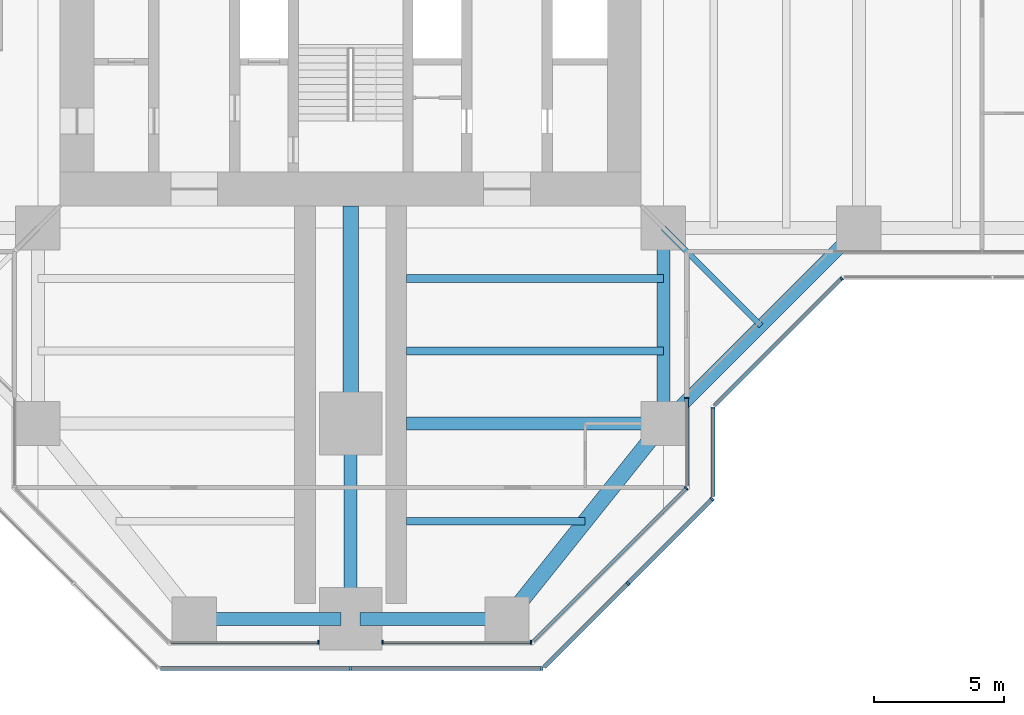
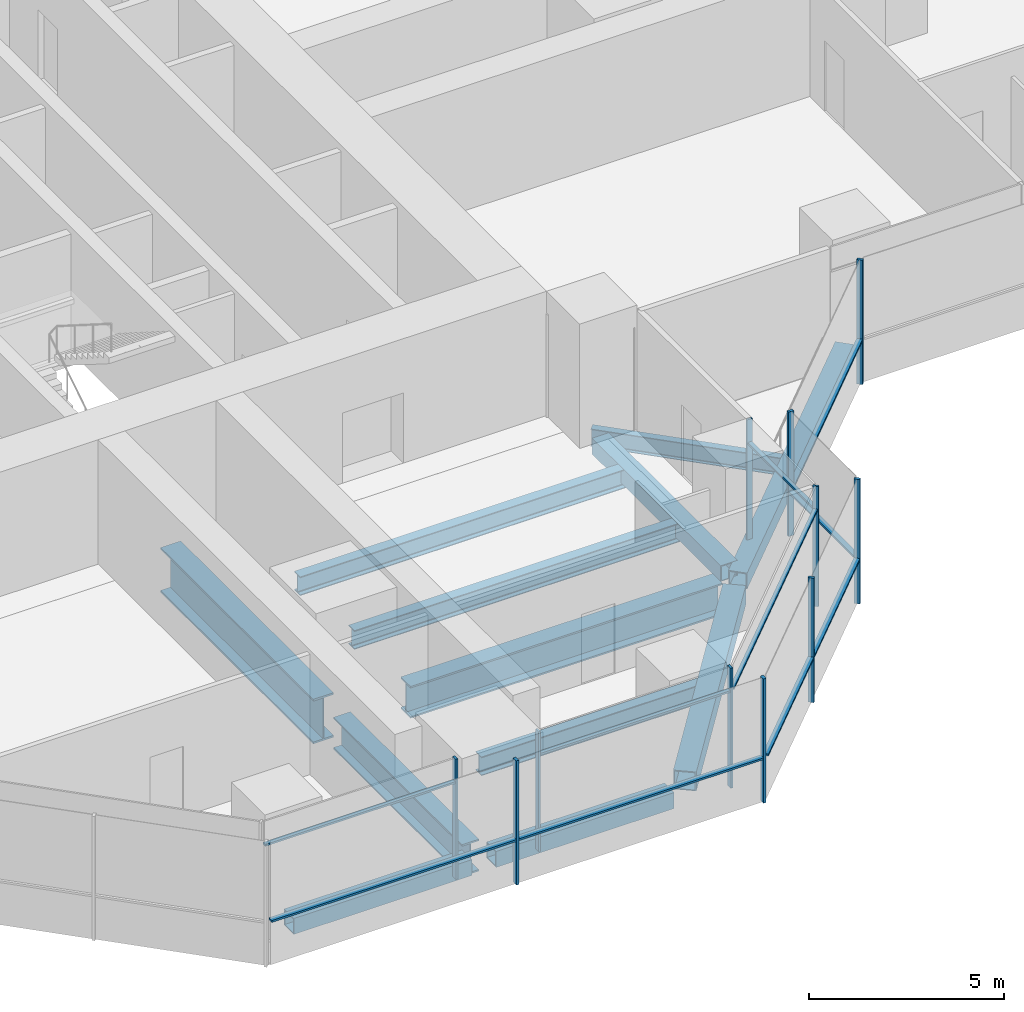
# One storey, part 4 of 19: 21 members, 12 beams, 8 elements without a shape of their own.
"""IFC4 building model written with IfcOpenShell, lengths in metres."""

from ifc_helpers import new_model, si_unit, direction, frame, origin, origin_2d, place, context, subcontext, project, spatial, rectangle, hollow_rectangle, i_section, extrude, material, material_profile, profile_set, type_object, element, aggregate, save


model = new_model("IFC4")

# Units and contexts
model_context = context("Model", 3, precision=1e-05, world=origin(), true_north=direction((0.0, 1.0)))
body_context = subcontext(model_context, "Body", "Model", "MODEL_VIEW")
ifc_project = project(units=[si_unit("LENGTHUNIT", "METRE"), si_unit("AREAUNIT", "SQUARE_METRE"), si_unit("VOLUMEUNIT", "CUBIC_METRE"), si_unit("PLANEANGLEUNIT", "RADIAN"), si_unit("MASSUNIT", "GRAM", prefix="KILO")], contexts=[model_context])

# Site, building, storey
site_placement = place(None, origin())
site = spatial("IfcSite", under=ifc_project, at=site_placement, CompositionType="ELEMENT")
building_placement = place(site_placement, origin())
building = spatial("IfcBuilding", under=site, at=building_placement, Name="Mizan Broadcast Tower", CompositionType="ELEMENT")
storey_placement = place(building_placement, frame((0.0, 0.0, 132.0)))
storey = spatial("IfcBuildingStorey", under=building, at=storey_placement, Name="L29", CompositionType="ELEMENT", Elevation=132.0)

# Beams
ifc_material_1 = material(Name="Steel S355", Category="steel")
ifc_material_profile_1 = material_profile(ifc_material_1, hollow_rectangle(XDim=0.5, YDim=0.5, WallThickness=0.030029296875, at=origin_2d()), Name="BOX 500x500x30")
ifc_profile_set_1 = profile_set([ifc_material_profile_1], Name="Steel S355")
beam_type_1 = type_object("IfcBeamType", Name="EDGE BEAM BOX 500x500x30", PredefinedType="SPANDREL", material=ifc_profile_set_1)
beam_1_placement = place(storey_placement, frame((-5.639892578125, -27.0, -0.3798828125), z_axis=(1.0, 0.0, 0.0), x_axis=(0.0, 1.0, 0.0)))
element("IfcBeam", 1, at=beam_1_placement, inside=storey, type_object=beam_type_1, Name="Edge beam BOX 500x500x30 L29 south arm", PredefinedType="SPANDREL", context=body_context, shape_type="SweptSolid", body=[
    extrude(hollow_rectangle(XDim=0.5, YDim=0.5, WallThickness=0.030029296875, at=origin_2d()), origin(), (0.0, 0.0, 1.0), 5.27978515625),
])
beam_2_placement = place(storey_placement, frame((12.0, -12.449951171875, -0.3798828125), z_axis=(0.0, -1.0, 0.0), x_axis=(1.0, 0.0, 0.0)))
element("IfcBeam", 2, at=beam_2_placement, inside=storey, type_object=beam_type_1, Name="Edge beam BOX 500x500x30 L29 south arm", PredefinedType="SPANDREL", context=body_context, shape_type="SweptSolid", body=[
    extrude(hollow_rectangle(XDim=0.5, YDim=0.5, WallThickness=0.030029296875, at=origin_2d()), origin(), (0.0, 0.0, 1.0), 6.60009765625),
])
beam_3_placement = place(storey_placement, frame((5.639892578125, -27.0, -0.3798828125), z_axis=(-1.0, 0.0, 0.0), x_axis=(0.0, -1.0, 0.0)))
element("IfcBeam", 3, at=beam_3_placement, inside=storey, type_object=beam_type_1, Name="Edge beam BOX 500x500x30 L29 south arm", PredefinedType="SPANDREL", context=body_context, shape_type="SweptSolid", body=[
    extrude(hollow_rectangle(XDim=0.5, YDim=0.5, WallThickness=0.030029296875, at=origin_2d()), origin(), (0.0, 0.0, 1.0), 5.27978515625),
])
beam_4_placement = place(storey_placement, frame((12.0, -19.5, -0.3798828125), z_axis=(0.707106781187, 0.707106781187, 0.0), x_axis=(-0.707106781187, 0.707106781187, 0.0)))
element("IfcBeam", 4, at=beam_4_placement, inside=storey, type_object=beam_type_1, Name="Winter garden edge beam L29 S", PredefinedType="SPANDREL", context=body_context, shape_type="SweptSolid", body=[
    extrude(hollow_rectangle(XDim=0.5, YDim=0.5, WallThickness=0.030029296875, at=origin_2d()), origin(), (0.0, 0.0, 1.0), 10.606689453125),
])
ifc_material_2 = material(Name="Steel S355", Category="steel")
ifc_material_profile_2 = material_profile(ifc_material_2, hollow_rectangle(XDim=0.60009765625, YDim=0.60009765625, WallThickness=0.030029296875, at=origin_2d()), Name="BOX 600x600x30")
ifc_profile_set_2 = profile_set([ifc_material_profile_2], Name="Steel S355")
beam_type_2 = type_object("IfcBeamType", Name="EDGE BEAM BOX 600x600x30", PredefinedType="SPANDREL", material=ifc_profile_set_2)
beam_5_placement = place(storey_placement, frame((11.639892578125, -19.949951171875, -0.429931640625), z_axis=(-0.624673911726, -0.780885717636, 0.0), x_axis=(0.780885717636, -0.624673911726, 0.0)))
element("IfcBeam", 5, at=beam_5_placement, inside=storey, type_object=beam_type_2, Name="Edge beam BOX 600x600x30 L29 south arm", PredefinedType="SPANDREL", context=body_context, shape_type="SweptSolid", body=[
    extrude(hollow_rectangle(XDim=0.60009765625, YDim=0.60009765625, WallThickness=0.030029296875, at=origin_2d()), origin(), (0.0, 0.0, 1.0), 8.4521484375),
])
ifc_material_3 = material(Name="Steel S460", Category="steel")
ifc_material_profile_3 = material_profile(ifc_material_3, i_section(OverallWidth=0.5, OverallDepth=1.0, WebThickness=0.02490234375, FlangeThickness=0.050048828125, at=origin_2d()), Name="WPG 1000x500")
ifc_profile_set_3 = profile_set([ifc_material_profile_3], Name="Steel S460")
beam_type_3 = type_object("IfcBeamType", Name="GIRDER WPG 1000x500", PredefinedType="BEAM", material=ifc_profile_set_3)
beam_6_placement = place(storey_placement, frame((0.0, -19.949951171875, -0.6298828125), z_axis=(0.0, -1.0, 0.0), x_axis=(1.0, 0.0, 0.0)))
element("IfcBeam", 6, at=beam_6_placement, inside=storey, type_object=beam_type_3, Name="Girder WPG 1000x500 L29 south arm", PredefinedType="BEAM", context=body_context, shape_type="SweptSolid", body=[
    extrude(i_section(OverallWidth=0.5, OverallDepth=1.0, WebThickness=0.02490234375, FlangeThickness=0.050048828125, at=origin_2d()), origin(), (0.0, 0.0, 1.0), 6.60009765625),
])
beam_7_placement = place(storey_placement, frame((11.408935546875, -19.5, -0.6298828125), z_axis=(-1.0, 0.0, 0.0), x_axis=(0.0, -1.0, 0.0)))
element("IfcBeam", 7, at=beam_7_placement, inside=storey, type_object=beam_type_3, Name="Girder WPG 1000x500 L29 south arm", PredefinedType="BEAM", context=body_context, shape_type="SweptSolid", body=[
    extrude(i_section(OverallWidth=0.5, OverallDepth=1.0, WebThickness=0.02490234375, FlangeThickness=0.050048828125, at=origin_2d()), origin(), (0.0, 0.0, 1.0), 9.259033203125),
])
ifc_material_4 = material(Name="Steel S460", Category="steel")
ifc_material_profile_4 = material_profile(ifc_material_4, i_section(OverallWidth=0.60009765625, OverallDepth=1.39990234375, WebThickness=0.02490234375, FlangeThickness=0.06005859375, at=origin_2d()), Name="WPG 1400x600")
ifc_profile_set_4 = profile_set([ifc_material_profile_4], Name="Steel S460")
beam_type_4 = type_object("IfcBeamType", Name="GIRDER WPG 1400x600", PredefinedType="BEAM", material=ifc_profile_set_4)
beam_8_placement = place(storey_placement, frame((0.0, -11.14990234375, -0.830078125), z_axis=(0.0, -1.0, 0.0), x_axis=(1.0, 0.0, 0.0)))
element("IfcBeam", 8, at=beam_8_placement, inside=storey, type_object=beam_type_4, Name="Girder WPG 1400x600 L29 south arm", PredefinedType="BEAM", context=body_context, shape_type="SweptSolid", body=[
    extrude(i_section(OverallWidth=0.60009765625, OverallDepth=1.39990234375, WebThickness=0.02490234375, FlangeThickness=0.06005859375, at=origin_2d()), origin(), (0.0, 0.0, 1.0), 7.84912109375),
])

# Curtain wall, member
ifc_material_5 = material(Name="Aluminium framed glazing", Category="aluminium")
curtain_wall_type_1 = type_object("IfcCurtainWallType", Name="INNER SKIN MID ZONE", PredefinedType="USERDEFINED", material=ifc_material_5)
curtain_wall_1_placement = place(storey_placement, origin())
curtain_wall_1 = element("IfcCurtainWall", 9, at=curtain_wall_1_placement, inside=storey, type_object=curtain_wall_type_1, Name="Inner skin mid zone L29 S end", ObjectType="INNER SKIN MID ZONE", PredefinedType="USERDEFINED")
ifc_material_6 = material(Name="Aluminium, pale anodised", Category="aluminium")
ifc_material_profile_5 = material_profile(ifc_material_6, rectangle(XDim=0.159912109375, YDim=0.06005859375, at=origin_2d()), Name="MULLION 160x60")
ifc_profile_set_5 = profile_set([ifc_material_profile_5], Name="Aluminium, pale anodised")
member_type_1 = type_object("IfcMemberType", Name="INNER SKIN MULLION 60x160", PredefinedType="MULLION", material=ifc_profile_set_5)
member_1_placement = place(storey_placement, frame((-1.22998046875, -27.89990234375, 0.0), z_axis=(0.0, 0.0, 1.0), x_axis=(0.0, 1.0, 0.0)))
member_1 = element("IfcMember", 10, at=member_1_placement, type_object=member_type_1, Name="Inner skin mid zone L29 S end mullion 2", PredefinedType="MULLION", context=body_context, shape_type="SweptSolid", body=[
    extrude(rectangle(XDim=0.159912109375, YDim=0.06005859375, at=origin_2d()), origin(), (0.0, 0.0, 1.0), 3.77001953125),
])

# Curtain wall, members
curtain_wall_2_placement = place(storey_placement, origin())
curtain_wall_2 = element("IfcCurtainWall", 11, at=curtain_wall_2_placement, inside=storey, type_object=curtain_wall_type_1, Name="Inner skin mid zone L29 S end", ObjectType="INNER SKIN MID ZONE", PredefinedType="USERDEFINED")
member_2_placement = place(storey_placement, frame((1.22998046875, -27.89990234375, 0.0), z_axis=(0.0, 0.0, 1.0), x_axis=(0.0, 1.0, 0.0)))
member_2 = element("IfcMember", 12, at=member_2_placement, type_object=member_type_1, Name="Inner skin mid zone L29 S end mullion 1", PredefinedType="MULLION", context=body_context, shape_type="SweptSolid", body=[
    extrude(rectangle(XDim=0.159912109375, YDim=0.06005859375, at=origin_2d()), origin(), (0.0, 0.0, 1.0), 3.77001953125),
])
member_3_placement = place(storey_placement, frame((6.928466796875, -27.89990234375, 0.0), z_axis=(0.0, 0.0, 1.0), x_axis=(0.0, 1.0, 0.0)))
member_3 = element("IfcMember", 13, at=member_3_placement, type_object=member_type_1, Name="Inner skin mid zone L29 S end mullion 2", PredefinedType="MULLION", context=body_context, shape_type="SweptSolid", body=[
    extrude(rectangle(XDim=0.159912109375, YDim=0.06005859375, at=origin_2d()), origin(), (0.0, 0.0, 1.0), 3.77001953125),
])

# Curtain wall, member
curtain_wall_3_placement = place(storey_placement, origin())
curtain_wall_3 = element("IfcCurtainWall", 14, at=curtain_wall_3_placement, inside=storey, type_object=curtain_wall_type_1, Name="Inner skin mid zone L29 S chamfer", ObjectType="INNER SKIN MID ZONE", PredefinedType="USERDEFINED")
member_4_placement = place(storey_placement, frame((12.87890625, -21.979736328125, 0.0), z_axis=(0.0, 0.0, 1.0), x_axis=(-0.707106781187, 0.707106781187, 0.0)))
member_4 = element("IfcMember", 15, at=member_4_placement, type_object=member_type_1, Name="Inner skin mid zone L29 S chamfer mullion 2", PredefinedType="MULLION", context=body_context, shape_type="SweptSolid", body=[
    extrude(rectangle(XDim=0.159912109375, YDim=0.06005859375, at=origin_2d()), origin(), (0.0, 0.0, 1.0), 3.77001953125),
])

curtain_wall_4_placement = place(storey_placement, origin())
curtain_wall_4 = element("IfcCurtainWall", 16, at=curtain_wall_4_placement, inside=storey, type_object=curtain_wall_type_1, Name="Inner skin mid zone L29 S side", ObjectType="INNER SKIN MID ZONE", PredefinedType="USERDEFINED")
member_5_placement = place(storey_placement, frame((12.89990234375, -18.530029296875, 0.0), z_axis=(0.0, 0.0, 1.0), x_axis=(-1.0, 0.0, 0.0)))
member_5 = element("IfcMember", 17, at=member_5_placement, type_object=member_type_1, Name="Inner skin mid zone L29 S side mullion 2", PredefinedType="MULLION", context=body_context, shape_type="SweptSolid", body=[
    extrude(rectangle(XDim=0.159912109375, YDim=0.06005859375, at=origin_2d()), origin(), (0.0, 0.0, 1.0), 3.77001953125),
])

# Member
ifc_material_7 = material(Name="Aluminium, pale anodised", Category="aluminium")
ifc_material_profile_6 = material_profile(ifc_material_7, rectangle(XDim=0.1201171875, YDim=0.06005859375, at=origin_2d()), Name="TRANSOM 120x60")
ifc_profile_set_6 = profile_set([ifc_material_profile_6], Name="Aluminium, pale anodised")
member_type_2 = type_object("IfcMemberType", Name="INNER SKIN TRANSOM 60x120", PredefinedType="USERDEFINED", material=ifc_profile_set_6)
member_6_placement = place(storey_placement, frame((-6.898681640625, -27.89990234375, 3.030029296875), z_axis=(1.0, 0.0, 0.0), x_axis=(0.0, 1.0, 0.0)))
member_6 = element("IfcMember", 18, at=member_6_placement, type_object=member_type_2, Name="Inner skin mid zone L29 S end transom 1.1", ObjectType="TRANSOM", PredefinedType="USERDEFINED", context=body_context, shape_type="SweptSolid", body=[
    extrude(rectangle(XDim=0.1201171875, YDim=0.06005859375, at=origin_2d()), origin(), (0.0, 0.0, 1.0), 5.638671875),
])

aggregate(curtain_wall_1, [member_1, member_6])

member_7_placement = place(storey_placement, frame((1.260009765625, -27.89990234375, 3.030029296875), z_axis=(1.0, 0.0, 0.0), x_axis=(0.0, 1.0, 0.0)))
member_7 = element("IfcMember", 19, at=member_7_placement, type_object=member_type_2, Name="Inner skin mid zone L29 S end transom 1.1", ObjectType="TRANSOM", PredefinedType="USERDEFINED", context=body_context, shape_type="SweptSolid", body=[
    extrude(rectangle(XDim=0.1201171875, YDim=0.06005859375, at=origin_2d()), origin(), (0.0, 0.0, 1.0), 5.638671875),
])

aggregate(curtain_wall_2, [member_2, member_3, member_7])

member_8_placement = place(storey_placement, frame((7.0009765625, -27.857666015625, 3.030029296875), z_axis=(0.707106781187, 0.707106781187, 0.0), x_axis=(-0.707106781187, 0.707106781187, 0.0)))
member_8 = element("IfcMember", 20, at=member_8_placement, type_object=member_type_2, Name="Inner skin mid zone L29 S chamfer transom 1.1", ObjectType="TRANSOM", PredefinedType="USERDEFINED", context=body_context, shape_type="SweptSolid", body=[
    extrude(rectangle(XDim=0.1201171875, YDim=0.06005859375, at=origin_2d()), origin(), (0.0, 0.0, 1.0), 8.28271484375),
])

aggregate(curtain_wall_3, [member_4, member_8])

member_9_placement = place(storey_placement, frame((12.89990234375, -21.898681640625, 3.030029296875), z_axis=(0.0, 1.0, 0.0), x_axis=(-1.0, 0.0, 0.0)))
member_9 = element("IfcMember", 21, at=member_9_placement, type_object=member_type_2, Name="Inner skin mid zone L29 S side transom 1.1", ObjectType="TRANSOM", PredefinedType="USERDEFINED", context=body_context, shape_type="SweptSolid", body=[
    extrude(rectangle(XDim=0.1201171875, YDim=0.06005859375, at=origin_2d()), origin(), (0.0, 0.0, 1.0), 3.338623046875),
])

aggregate(curtain_wall_4, [member_5, member_9])

# Curtain wall, members
ifc_material_8 = material(Name="Aluminium framed glazing", Category="aluminium")
curtain_wall_type_2 = type_object("IfcCurtainWallType", Name="OUTER SKIN", PredefinedType="USERDEFINED", material=ifc_material_8)
curtain_wall_5_placement = place(storey_placement, origin())
curtain_wall_5 = element("IfcCurtainWall", 22, at=curtain_wall_5_placement, inside=storey, type_object=curtain_wall_type_2, Name="Outer skin L29 S end", ObjectType="OUTER SKIN", PredefinedType="USERDEFINED")
ifc_material_9 = material(Name="Aluminium, pale anodised", Category="aluminium")
ifc_material_profile_7 = material_profile(ifc_material_9, rectangle(XDim=0.159912109375, YDim=0.080078125, at=origin_2d()), Name="MULLION 160x80")
ifc_profile_set_7 = profile_set([ifc_material_profile_7], Name="Aluminium, pale anodised")
member_type_3 = type_object("IfcMemberType", Name="OUTER SKIN MULLION 80x160", PredefinedType="MULLION", material=ifc_profile_set_7)
member_10_placement = place(storey_placement, frame((0.0, -28.89990234375, 0.0), z_axis=(0.0, 0.0, 1.0), x_axis=(0.0, 1.0, 0.0)))
member_10 = element("IfcMember", 23, at=member_10_placement, type_object=member_type_3, Name="Outer skin L29 S end mullion 2", PredefinedType="MULLION", context=body_context, shape_type="SweptSolid", body=[
    extrude(rectangle(XDim=0.159912109375, YDim=0.080078125, at=origin_2d()), origin(), (0.0, 0.0, 1.0), 3.89990234375),
])
member_11_placement = place(storey_placement, frame((7.332763671875, -28.89990234375, 0.0), z_axis=(0.0, 0.0, 1.0), x_axis=(0.0, 1.0, 0.0)))
member_11 = element("IfcMember", 24, at=member_11_placement, type_object=member_type_3, Name="Outer skin L29 S end mullion 3", PredefinedType="MULLION", context=body_context, shape_type="SweptSolid", body=[
    extrude(rectangle(XDim=0.159912109375, YDim=0.080078125, at=origin_2d()), origin(), (0.0, 0.0, 1.0), 3.89990234375),
])

curtain_wall_6_placement = place(storey_placement, origin())
curtain_wall_6 = element("IfcCurtainWall", 25, at=curtain_wall_6_placement, inside=storey, type_object=curtain_wall_type_2, Name="Outer skin L29 S chamfer", ObjectType="OUTER SKIN", PredefinedType="USERDEFINED")
member_12_placement = place(storey_placement, frame((10.636474609375, -25.636474609375, 0.0), z_axis=(0.0, 0.0, 1.0), x_axis=(-0.707106781187, 0.707106781187, 0.0)))
member_12 = element("IfcMember", 26, at=member_12_placement, type_object=member_type_3, Name="Outer skin L29 S chamfer mullion 2", PredefinedType="MULLION", context=body_context, shape_type="SweptSolid", body=[
    extrude(rectangle(XDim=0.159912109375, YDim=0.080078125, at=origin_2d()), origin(), (0.0, 0.0, 1.0), 3.89990234375),
])
member_13_placement = place(storey_placement, frame((13.871826171875, -22.401123046875, 0.0), z_axis=(0.0, 0.0, 1.0), x_axis=(-0.707106781187, 0.707106781187, 0.0)))
member_13 = element("IfcMember", 27, at=member_13_placement, type_object=member_type_3, Name="Outer skin L29 S chamfer mullion 3", PredefinedType="MULLION", context=body_context, shape_type="SweptSolid", body=[
    extrude(rectangle(XDim=0.159912109375, YDim=0.080078125, at=origin_2d()), origin(), (0.0, 0.0, 1.0), 3.89990234375),
])

# Curtain wall, member
curtain_wall_7_placement = place(storey_placement, origin())
curtain_wall_7 = element("IfcCurtainWall", 28, at=curtain_wall_7_placement, inside=storey, type_object=curtain_wall_type_2, Name="Outer skin L29 S side", ObjectType="OUTER SKIN", PredefinedType="USERDEFINED")
member_14_placement = place(storey_placement, frame((13.89990234375, -18.912841796875, 0.0), z_axis=(0.0, 0.0, 1.0), x_axis=(-1.0, 0.0, 0.0)))
member_14 = element("IfcMember", 29, at=member_14_placement, type_object=member_type_3, Name="Outer skin L29 S side mullion 2", PredefinedType="MULLION", context=body_context, shape_type="SweptSolid", body=[
    extrude(rectangle(XDim=0.159912109375, YDim=0.080078125, at=origin_2d()), origin(), (0.0, 0.0, 1.0), 3.89990234375),
])

curtain_wall_8_placement = place(storey_placement, origin())
curtain_wall_8 = element("IfcCurtainWall", 30, at=curtain_wall_8_placement, inside=storey, type_object=curtain_wall_type_2, Name="Outer skin L29 E chamfer", ObjectType="OUTER SKIN", PredefinedType="USERDEFINED")
member_15_placement = place(storey_placement, frame((18.844482421875, -13.92822265625, 0.0), z_axis=(0.0, 0.0, 1.0), x_axis=(-0.707106781187, 0.707106781187, 0.0)))
member_15 = element("IfcMember", 31, at=member_15_placement, type_object=member_type_3, Name="Outer skin L29 E chamfer mullion 2", PredefinedType="MULLION", context=body_context, shape_type="SweptSolid", body=[
    extrude(rectangle(XDim=0.159912109375, YDim=0.080078125, at=origin_2d()), origin(), (0.0, 0.0, 1.0), 3.89990234375),
])

# Member
ifc_material_10 = material(Name="Aluminium, pale anodised", Category="aluminium")
ifc_material_profile_8 = material_profile(ifc_material_10, rectangle(XDim=0.159912109375, YDim=0.06005859375, at=origin_2d()), Name="TRANSOM 160x60")
ifc_profile_set_8 = profile_set([ifc_material_profile_8], Name="Aluminium, pale anodised")
member_type_4 = type_object("IfcMemberType", Name="OUTER SKIN TRANSOM 60x160", PredefinedType="USERDEFINED", material=ifc_profile_set_8)
member_16_placement = place(storey_placement, frame((-7.292724609375, -28.89990234375, 1.39990234375), z_axis=(1.0, 0.0, 0.0), x_axis=(0.0, 1.0, 0.0)))
member_16 = element("IfcMember", 32, at=member_16_placement, type_object=member_type_4, Name="Outer skin L29 S end transom 1.1", ObjectType="TRANSOM", PredefinedType="USERDEFINED", context=body_context, shape_type="SweptSolid", body=[
    extrude(rectangle(XDim=0.159912109375, YDim=0.06005859375, at=origin_2d()), origin(), (0.0, 0.0, 1.0), 7.252685546875),
])

member_17_placement = place(storey_placement, frame((0.0400390625, -28.89990234375, 1.39990234375), z_axis=(1.0, 0.0, 0.0), x_axis=(0.0, 1.0, 0.0)))
member_17 = element("IfcMember", 33, at=member_17_placement, type_object=member_type_4, Name="Outer skin L29 S end transom 2.1", ObjectType="TRANSOM", PredefinedType="USERDEFINED", context=body_context, shape_type="SweptSolid", body=[
    extrude(rectangle(XDim=0.159912109375, YDim=0.06005859375, at=origin_2d()), origin(), (0.0, 0.0, 1.0), 7.252685546875),
])

aggregate(curtain_wall_5, [member_10, member_11, member_16, member_17])

member_18_placement = place(storey_placement, frame((7.429443359375, -28.843505859375, 1.39990234375), z_axis=(0.707106781187, 0.707106781187, 0.0), x_axis=(-0.707106781187, 0.707106781187, 0.0)))
member_18 = element("IfcMember", 34, at=member_18_placement, type_object=member_type_4, Name="Outer skin L29 S chamfer transom 1.1", ObjectType="TRANSOM", PredefinedType="USERDEFINED", context=body_context, shape_type="SweptSolid", body=[
    extrude(rectangle(XDim=0.159912109375, YDim=0.06005859375, at=origin_2d()), origin(), (0.0, 0.0, 1.0), 4.495361328125),
])

member_19_placement = place(storey_placement, frame((10.664794921875, -25.608154296875, 1.39990234375), z_axis=(0.707106781187, 0.707106781187, 0.0), x_axis=(-0.707106781187, 0.707106781187, 0.0)))
member_19 = element("IfcMember", 35, at=member_19_placement, type_object=member_type_4, Name="Outer skin L29 S chamfer transom 2.1", ObjectType="TRANSOM", PredefinedType="USERDEFINED", context=body_context, shape_type="SweptSolid", body=[
    extrude(rectangle(XDim=0.159912109375, YDim=0.06005859375, at=origin_2d()), origin(), (0.0, 0.0, 1.0), 4.495361328125),
])

aggregate(curtain_wall_6, [member_12, member_13, member_18, member_19])

member_20_placement = place(storey_placement, frame((13.89990234375, -22.292724609375, 1.39990234375), z_axis=(0.0, 1.0, 0.0), x_axis=(-1.0, 0.0, 0.0)))
member_20 = element("IfcMember", 36, at=member_20_placement, type_object=member_type_4, Name="Outer skin L29 S side transom 1.1", ObjectType="TRANSOM", PredefinedType="USERDEFINED", context=body_context, shape_type="SweptSolid", body=[
    extrude(rectangle(XDim=0.159912109375, YDim=0.06005859375, at=origin_2d()), origin(), (0.0, 0.0, 1.0), 3.33984375),
])

aggregate(curtain_wall_7, [member_14, member_20])

member_21_placement = place(storey_placement, frame((13.95654296875, -18.816162109375, 1.39990234375), z_axis=(0.707106781187, 0.707106781187, 0.0), x_axis=(-0.707106781187, 0.707106781187, 0.0)))
member_21 = element("IfcMember", 37, at=member_21_placement, type_object=member_type_4, Name="Outer skin L29 E chamfer transom 1.1", ObjectType="TRANSOM", PredefinedType="USERDEFINED", context=body_context, shape_type="SweptSolid", body=[
    extrude(rectangle(XDim=0.159912109375, YDim=0.06005859375, at=origin_2d()), origin(), (0.0, 0.0, 1.0), 6.87255859375),
])

aggregate(curtain_wall_8, [member_15, member_21])

# Beams
ifc_material_11 = material(Name="Steel S355", Category="steel")
ifc_material_profile_9 = material_profile(ifc_material_11, i_section(OverallWidth=0.300048828125, OverallDepth=0.590087890625, WebThickness=0.012939453125, FlangeThickness=0.02490234375, FilletRadius=0.027099609375, at=origin_2d()), Name="HEA 600")
ifc_profile_set_9 = profile_set([ifc_material_profile_9], Name="Steel S355")
beam_type_5 = type_object("IfcBeamType", Name="SECONDARY BEAM HEA 600", PredefinedType="JOIST", material=ifc_profile_set_9)
for number, where, z_axis, x_axis, name in (
    (38, (12.0, -13.933349609375, -0.425048828125), (-1.0, 0.0, 0.0), (0.0, -1.0, 0.0), "Secondary beam HEA 600 L29 south arm"),
    (39, (12.0, -16.716552734375, -0.425048828125), (-1.0, 0.0, 0.0), (0.0, -1.0, 0.0), "Secondary beam HEA 600 L29 south arm"),
):
    element("IfcBeam", number, at=place(storey_placement, frame(where, z_axis=z_axis, x_axis=x_axis)), inside=storey, type_object=beam_type_5, Name=name, PredefinedType="JOIST", context=body_context, shape_type="SweptSolid", body=[
        extrude(i_section(OverallWidth=0.300048828125, OverallDepth=0.590087890625, WebThickness=0.012939453125, FlangeThickness=0.02490234375, FilletRadius=0.027099609375, at=origin_2d()), origin(), (0.0, 0.0, 1.0), 9.85009765625),
    ])
beam_9_placement = place(storey_placement, frame((9.0, -23.25, -0.425048828125), z_axis=(-1.0, 0.0, 0.0), x_axis=(0.0, -1.0, 0.0)))
element("IfcBeam", 40, at=beam_9_placement, inside=storey, type_object=beam_type_5, Name="Secondary beam HEA 600 L29 south arm", PredefinedType="JOIST", context=body_context, shape_type="SweptSolid", body=[
    extrude(i_section(OverallWidth=0.300048828125, OverallDepth=0.590087890625, WebThickness=0.012939453125, FlangeThickness=0.02490234375, FilletRadius=0.027099609375, at=origin_2d()), origin(), (0.0, 0.0, 1.0), 6.85009765625),
])
ifc_material_12 = material(Name="Steel S355", Category="steel")
ifc_material_profile_10 = material_profile(ifc_material_12, i_section(OverallWidth=0.2099609375, OverallDepth=0.550048828125, WebThickness=0.010986328125, FlangeThickness=0.01708984375, FilletRadius=0.02392578125, at=origin_2d()), Name="IPE 550")
ifc_profile_set_10 = profile_set([ifc_material_profile_10], Name="Steel S355")
beam_type_6 = type_object("IfcBeamType", Name="SECONDARY BEAM IPE 550", PredefinedType="JOIST", material=ifc_profile_set_10)
beam_10_placement = place(storey_placement, frame((12.0, -12.0, -0.405029296875), z_axis=(0.707106781187, -0.707106781187, 0.0), x_axis=(0.707106781187, 0.707106781187, 0.0)))
element("IfcBeam", 41, at=beam_10_placement, inside=storey, type_object=beam_type_6, Name="Winter garden beam L29 S", PredefinedType="JOIST", context=body_context, shape_type="SweptSolid", body=[
    extrude(i_section(OverallWidth=0.2099609375, OverallDepth=0.550048828125, WebThickness=0.010986328125, FlangeThickness=0.01708984375, FilletRadius=0.02392578125, at=origin_2d()), origin(), (0.0, 0.0, 1.0), 5.30322265625),
])

save(model, "model.ifc")
